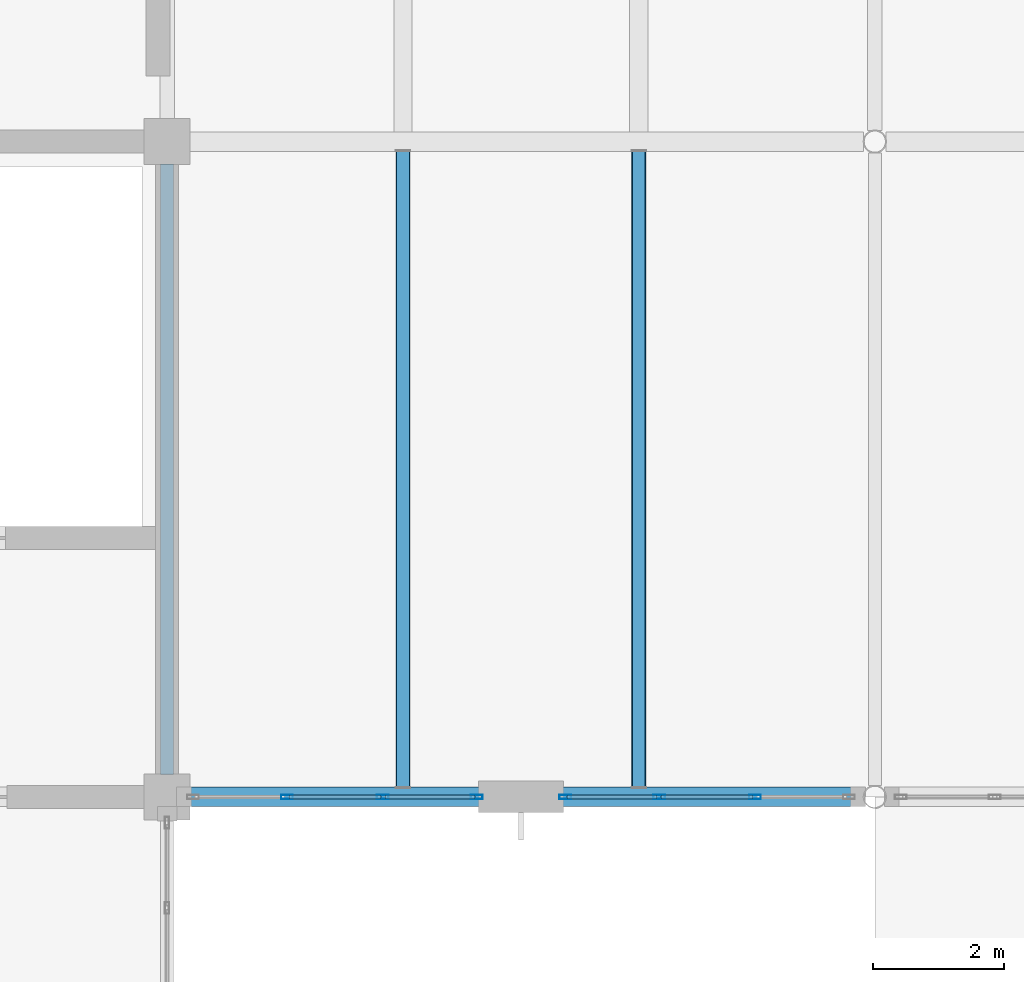
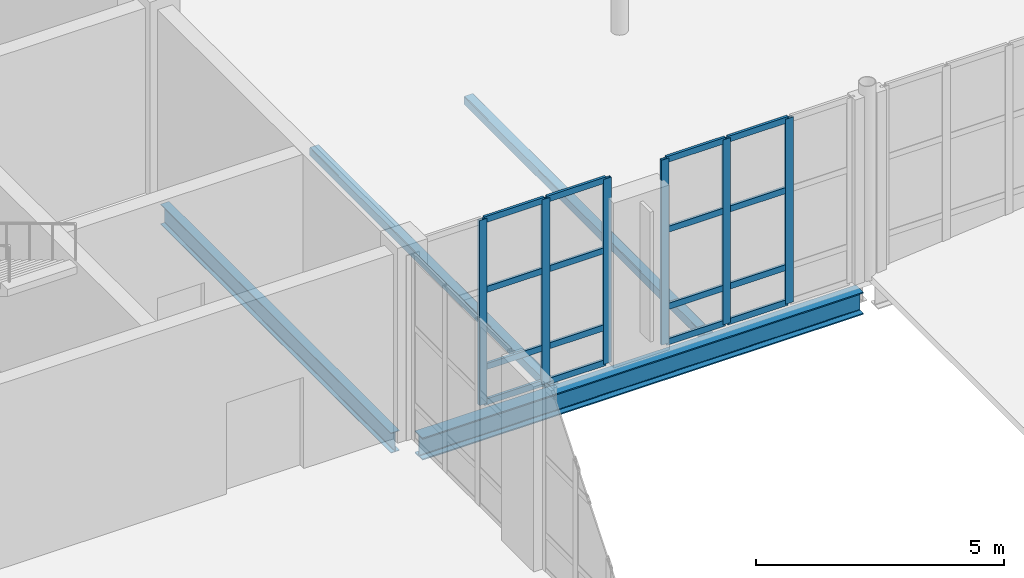
# One storey, part 25 of 92: 22 members, 4 beams, 2 elements without a shape of their own.
"""IFC4 building model written with IfcOpenShell, lengths in metres."""

from ifc_helpers import new_model, si_unit, direction, frame, origin, origin_2d, place, context, subcontext, project, spatial, hollow_rectangle, i_section, extrude, material, layer, layer_set, material_profile, profile_set, type_object, element, aggregate, save


model = new_model("IFC4")

# Units and contexts
model_context = context("Model", 3, precision=1e-05, world=origin(), true_north=direction((0.0, 1.0)))
body_context = subcontext(model_context, "Body", "Model", "MODEL_VIEW")
ifc_project = project(units=[si_unit("LENGTHUNIT", "METRE"), si_unit("AREAUNIT", "SQUARE_METRE"), si_unit("VOLUMEUNIT", "CUBIC_METRE"), si_unit("PLANEANGLEUNIT", "RADIAN"), si_unit("MASSUNIT", "GRAM", prefix="KILO")], contexts=[model_context])

# Site, building, storey
site_placement = place(None, origin())
site = spatial("IfcSite", under=ifc_project, at=site_placement, CompositionType="ELEMENT")
building_placement = place(site_placement, origin())
building = spatial("IfcBuilding", under=site, at=building_placement, Name="Tasgan Crest Museum", CompositionType="ELEMENT")
storey_placement = place(building_placement, frame((0.0, 0.0, 4.800048828125)))
storey = spatial("IfcBuildingStorey", under=building, at=storey_placement, Name="L01", CompositionType="ELEMENT", Elevation=4.800048828125)

# Beams
ifc_material_1 = material(Name="Steel S355K2", Category="steel")
ifc_material_profile_1 = material_profile(ifc_material_1, i_section(OverallWidth=0.300048828125, OverallDepth=0.550048828125, WebThickness=0.014892578125, FlangeThickness=0.029052734375, FilletRadius=0.027099609375, at=origin_2d()), Name="HEB 550")
ifc_profile_set_1 = profile_set([ifc_material_profile_1], Name="Steel S355K2")
beam_type_1 = type_object("IfcBeamType", Name="BM-G-HEB550", PredefinedType="BEAM", material=ifc_profile_set_1)
beam_1_placement = place(storey_placement, frame((54.345947265625, 40.0, -0.51513671875), z_axis=(1.0, 0.0, 0.0), x_axis=(0.0, 1.0, 0.0)))
element("IfcBeam", 1, at=beam_1_placement, inside=storey, type_object=beam_type_1, Name="Girder L01 E 54.0-64.8", PredefinedType="BEAM", context=body_context, shape_type="SweptSolid", body=[
    extrude(i_section(OverallWidth=0.300048828125, OverallDepth=0.550048828125, WebThickness=0.014892578125, FlangeThickness=0.029052734375, FilletRadius=0.027099609375, at=origin_2d()), origin(), (0.0, 0.0, 1.0), 10.2802734375),
])
ifc_material_2 = material(Name="Steel S355J2", Category="steel")
ifc_material_profile_2 = material_profile(ifc_material_2, i_section(OverallWidth=0.199951171875, OverallDepth=0.5, WebThickness=0.01025390625, FlangeThickness=0.01611328125, FilletRadius=0.02099609375, at=origin_2d()), Name="IPE 500")
ifc_profile_set_2 = profile_set([ifc_material_profile_2], Name="Steel S355J2")
beam_type_2 = type_object("IfcBeamType", Name="BM-G-IPE500", PredefinedType="BEAM", material=ifc_profile_set_2)
beam_2_placement = place(storey_placement, frame((54.0, 40.344970703125, -0.510009765625), z_axis=(0.0, 1.0, 0.0), x_axis=(-1.0, 0.0, 0.0)))
element("IfcBeam", 2, at=beam_2_placement, inside=storey, type_object=beam_type_2, Name="Beam L01 6 40.0-50.0", PredefinedType="BEAM", context=body_context, shape_type="SweptSolid", body=[
    extrude(i_section(OverallWidth=0.199951171875, OverallDepth=0.5, WebThickness=0.01025390625, FlangeThickness=0.01611328125, FilletRadius=0.02099609375, at=origin_2d()), origin(), (0.0, 0.0, 1.0), 9.31005859375),
])
ifc_material_3 = material(Name="Steel S355J2", Category="steel")
ifc_material_profile_3 = material_profile(ifc_material_3, hollow_rectangle(XDim=0.219970703125, YDim=0.219970703125, WallThickness=0.012451171875, InnerFilletRadius=0.012451171875, OuterFilletRadius=0.02490234375, at=origin_2d()), Name="SHS 220x220x12.5")
ifc_profile_set_3 = profile_set([ifc_material_profile_3], Name="Steel S355J2")
beam_type_3 = type_object("IfcBeamType", Name="BM-J-SHS220", PredefinedType="JOIST", material=ifc_profile_set_3)
for number, where, z_axis, x_axis, name in (
    (3, (57.60009765625, 40.14501953125, -0.35009765625), (0.0, 1.0, 0.0), (-1.0, 0.0, 0.0), "Secondary joist L01 X=57.6 Y=40.0-50.0"),
    (4, (61.199951171875, 40.14501953125, -0.35009765625), (0.0, 1.0, 0.0), (-1.0, 0.0, 0.0), "Secondary joist L01 X=61.2 Y=40.0-50.0"),
):
    element("IfcBeam", number, at=place(storey_placement, frame(where, z_axis=z_axis, x_axis=x_axis)), inside=storey, type_object=beam_type_3, Name=name, PredefinedType="JOIST", context=body_context, shape_type="SweptSolid", body=[
        extrude(hollow_rectangle(XDim=0.219970703125, YDim=0.219970703125, WallThickness=0.012451171875, InnerFilletRadius=0.012451171875, OuterFilletRadius=0.02490234375, at=origin_2d()), origin(), (0.0, 0.0, 1.0), 9.7099609375),
    ])

# Curtain wall, members
ifc_material_4 = material(Name="Triple-Glazed Aluminium Curtain Wall", Category="aluminium")
ifc_layer = layer(ifc_material_4, 0.179931640625, Name="CW-DRUM-X-48")
ifc_layer_set = layer_set([ifc_layer], Name="Triple-Glazed Aluminium Curtain Wall")
curtain_wall_type = type_object("IfcCurtainWallType", Name="CW-DRUM-X-48", PredefinedType="NOTDEFINED", material=ifc_layer_set)
curtain_wall_1_placement = place(storey_placement, origin())
curtain_wall_1 = element("IfcCurtainWall", 5, at=curtain_wall_1_placement, inside=storey, type_object=curtain_wall_type, Name="Curtain wall L01 027", PredefinedType="NOTDEFINED")
ifc_material_5 = material(Name="Anodised Aluminium", Category="aluminium")
ifc_material_profile_4 = material_profile(ifc_material_5, hollow_rectangle(XDim=0.06494140625, YDim=0.179931640625, WallThickness=0.0048828125, at=origin_2d()), Name="ALU MULLION 180x65x5")
ifc_profile_set_4 = profile_set([ifc_material_profile_4], Name="Anodised Aluminium")
member_type_1 = type_object("IfcMemberType", Name="CW-MULLION-180", PredefinedType="MULLION", material=ifc_profile_set_4)
member_1_placement = place(storey_placement, frame((55.828369140625, 40.0, 0.0), z_axis=(0.0, 0.0, 1.0), x_axis=(0.0, 1.0, 0.0)))
member_1 = element("IfcMember", 6, at=member_1_placement, type_object=member_type_1, Name="CW03 mullion 2", PredefinedType="MULLION", context=body_context, shape_type="SweptSolid", body=[
    extrude(hollow_rectangle(XDim=0.06494140625, YDim=0.179931640625, WallThickness=0.0048828125, at=origin_2d()), origin(), (0.0, 0.0, 1.0), 4.56005859375),
])
member_2_placement = place(storey_placement, frame((57.291748046875, 40.0, 0.0), z_axis=(0.0, 0.0, 1.0), x_axis=(0.0, 1.0, 0.0)))
member_2 = element("IfcMember", 7, at=member_2_placement, type_object=member_type_1, Name="CW03 mullion 3", PredefinedType="MULLION", context=body_context, shape_type="SweptSolid", body=[
    extrude(hollow_rectangle(XDim=0.06494140625, YDim=0.179931640625, WallThickness=0.0048828125, at=origin_2d()), origin(), (0.0, 0.0, 1.0), 4.56005859375),
])
member_3_placement = place(storey_placement, frame((58.72509765625, 40.0, 0.0), z_axis=(0.0, 0.0, 1.0), x_axis=(0.0, 1.0, 0.0)))
member_3 = element("IfcMember", 8, at=member_3_placement, type_object=member_type_1, Name="CW03 mullion 4", PredefinedType="MULLION", context=body_context, shape_type="SweptSolid", body=[
    extrude(hollow_rectangle(XDim=0.06494140625, YDim=0.179931640625, WallThickness=0.0048828125, at=origin_2d()), origin(), (0.0, 0.0, 1.0), 4.56005859375),
])

curtain_wall_2_placement = place(storey_placement, origin())
curtain_wall_2 = element("IfcCurtainWall", 9, at=curtain_wall_2_placement, inside=storey, type_object=curtain_wall_type, Name="Curtain wall L01 028", PredefinedType="NOTDEFINED")
member_4_placement = place(storey_placement, frame((60.074951171875, 40.0, 0.0), z_axis=(0.0, 0.0, 1.0), x_axis=(0.0, 1.0, 0.0)))
member_4 = element("IfcMember", 10, at=member_4_placement, type_object=member_type_1, Name="CW03 mullion 1", PredefinedType="MULLION", context=body_context, shape_type="SweptSolid", body=[
    extrude(hollow_rectangle(XDim=0.06494140625, YDim=0.179931640625, WallThickness=0.0048828125, at=origin_2d()), origin(), (0.0, 0.0, 1.0), 4.56005859375),
])
member_5_placement = place(storey_placement, frame((61.50830078125, 40.0, 0.0), z_axis=(0.0, 0.0, 1.0), x_axis=(0.0, 1.0, 0.0)))
member_5 = element("IfcMember", 11, at=member_5_placement, type_object=member_type_1, Name="CW03 mullion 2", PredefinedType="MULLION", context=body_context, shape_type="SweptSolid", body=[
    extrude(hollow_rectangle(XDim=0.06494140625, YDim=0.179931640625, WallThickness=0.0048828125, at=origin_2d()), origin(), (0.0, 0.0, 1.0), 4.56005859375),
])
member_6_placement = place(storey_placement, frame((62.9716796875, 40.0, 0.0), z_axis=(0.0, 0.0, 1.0), x_axis=(0.0, 1.0, 0.0)))
member_6 = element("IfcMember", 12, at=member_6_placement, type_object=member_type_1, Name="CW03 mullion 3", PredefinedType="MULLION", context=body_context, shape_type="SweptSolid", body=[
    extrude(hollow_rectangle(XDim=0.06494140625, YDim=0.179931640625, WallThickness=0.0048828125, at=origin_2d()), origin(), (0.0, 0.0, 1.0), 4.56005859375),
])

# Member
ifc_material_6 = material(Name="Anodised Aluminium", Category="aluminium")
ifc_material_profile_5 = material_profile(ifc_material_6, hollow_rectangle(XDim=0.06005859375, YDim=0.14990234375, WallThickness=0.0048828125, at=origin_2d()), Name="ALU TRANSOM 150x60x5")
ifc_profile_set_5 = profile_set([ifc_material_profile_5], Name="Anodised Aluminium")
member_type_2 = type_object("IfcMemberType", Name="CW-TRANSOM-150", PredefinedType="USERDEFINED", material=ifc_profile_set_5)
member_7_placement = place(storey_placement, frame((55.8583984375, 40.0, 0.030029296875), z_axis=(1.0, 0.0, 0.0), x_axis=(0.0, 1.0, 0.0)))
member_7 = element("IfcMember", 13, at=member_7_placement, type_object=member_type_2, Name="CW03 transom 2.1", ObjectType="TRANSOM", PredefinedType="USERDEFINED", context=body_context, shape_type="SweptSolid", body=[
    extrude(hollow_rectangle(XDim=0.06005859375, YDim=0.14990234375, WallThickness=0.0048828125, at=origin_2d()), origin(), (0.0, 0.0, 1.0), 1.4033203125),
])

member_8_placement = place(storey_placement, frame((55.8583984375, 40.0, 0.89990234375), z_axis=(1.0, 0.0, 0.0), x_axis=(0.0, 1.0, 0.0)))
member_8 = element("IfcMember", 14, at=member_8_placement, type_object=member_type_2, Name="CW03 transom 2.2", ObjectType="TRANSOM", PredefinedType="USERDEFINED", context=body_context, shape_type="SweptSolid", body=[
    extrude(hollow_rectangle(XDim=0.06005859375, YDim=0.14990234375, WallThickness=0.0048828125, at=origin_2d()), origin(), (0.0, 0.0, 1.0), 1.4033203125),
])

member_9_placement = place(storey_placement, frame((55.8583984375, 40.0, 2.800048828125), z_axis=(1.0, 0.0, 0.0), x_axis=(0.0, 1.0, 0.0)))
member_9 = element("IfcMember", 15, at=member_9_placement, type_object=member_type_2, Name="CW03 transom 2.3", ObjectType="TRANSOM", PredefinedType="USERDEFINED", context=body_context, shape_type="SweptSolid", body=[
    extrude(hollow_rectangle(XDim=0.06005859375, YDim=0.14990234375, WallThickness=0.0048828125, at=origin_2d()), origin(), (0.0, 0.0, 1.0), 1.4033203125),
])

member_10_placement = place(storey_placement, frame((55.8583984375, 40.0, 4.530029296875), z_axis=(1.0, 0.0, 0.0), x_axis=(0.0, 1.0, 0.0)))
member_10 = element("IfcMember", 16, at=member_10_placement, type_object=member_type_2, Name="CW03 transom 2.4", ObjectType="TRANSOM", PredefinedType="USERDEFINED", context=body_context, shape_type="SweptSolid", body=[
    extrude(hollow_rectangle(XDim=0.06005859375, YDim=0.14990234375, WallThickness=0.0048828125, at=origin_2d()), origin(), (0.0, 0.0, 1.0), 1.4033203125),
])

member_11_placement = place(storey_placement, frame((57.32177734375, 40.0, 0.030029296875), z_axis=(1.0, 0.0, 0.0), x_axis=(0.0, 1.0, 0.0)))
member_11 = element("IfcMember", 17, at=member_11_placement, type_object=member_type_2, Name="CW03 transom 3.1", ObjectType="TRANSOM", PredefinedType="USERDEFINED", context=body_context, shape_type="SweptSolid", body=[
    extrude(hollow_rectangle(XDim=0.06005859375, YDim=0.14990234375, WallThickness=0.0048828125, at=origin_2d()), origin(), (0.0, 0.0, 1.0), 1.373291015625),
])

member_12_placement = place(storey_placement, frame((57.32177734375, 40.0, 0.89990234375), z_axis=(1.0, 0.0, 0.0), x_axis=(0.0, 1.0, 0.0)))
member_12 = element("IfcMember", 18, at=member_12_placement, type_object=member_type_2, Name="CW03 transom 3.2", ObjectType="TRANSOM", PredefinedType="USERDEFINED", context=body_context, shape_type="SweptSolid", body=[
    extrude(hollow_rectangle(XDim=0.06005859375, YDim=0.14990234375, WallThickness=0.0048828125, at=origin_2d()), origin(), (0.0, 0.0, 1.0), 1.373291015625),
])

member_13_placement = place(storey_placement, frame((57.32177734375, 40.0, 2.800048828125), z_axis=(1.0, 0.0, 0.0), x_axis=(0.0, 1.0, 0.0)))
member_13 = element("IfcMember", 19, at=member_13_placement, type_object=member_type_2, Name="CW03 transom 3.3", ObjectType="TRANSOM", PredefinedType="USERDEFINED", context=body_context, shape_type="SweptSolid", body=[
    extrude(hollow_rectangle(XDim=0.06005859375, YDim=0.14990234375, WallThickness=0.0048828125, at=origin_2d()), origin(), (0.0, 0.0, 1.0), 1.373291015625),
])

member_14_placement = place(storey_placement, frame((57.32177734375, 40.0, 4.530029296875), z_axis=(1.0, 0.0, 0.0), x_axis=(0.0, 1.0, 0.0)))
member_14 = element("IfcMember", 20, at=member_14_placement, type_object=member_type_2, Name="CW03 transom 3.4", ObjectType="TRANSOM", PredefinedType="USERDEFINED", context=body_context, shape_type="SweptSolid", body=[
    extrude(hollow_rectangle(XDim=0.06005859375, YDim=0.14990234375, WallThickness=0.0048828125, at=origin_2d()), origin(), (0.0, 0.0, 1.0), 1.373291015625),
])

aggregate(curtain_wall_1, [member_1, member_2, member_3, member_7, member_8, member_9, member_10, member_11, member_12, member_13, member_14])

member_15_placement = place(storey_placement, frame((60.10498046875, 40.0, 0.030029296875), z_axis=(1.0, 0.0, 0.0), x_axis=(0.0, 1.0, 0.0)))
member_15 = element("IfcMember", 21, at=member_15_placement, type_object=member_type_2, Name="CW03 transom 1.1", ObjectType="TRANSOM", PredefinedType="USERDEFINED", context=body_context, shape_type="SweptSolid", body=[
    extrude(hollow_rectangle(XDim=0.06005859375, YDim=0.14990234375, WallThickness=0.0048828125, at=origin_2d()), origin(), (0.0, 0.0, 1.0), 1.373291015625),
])

member_16_placement = place(storey_placement, frame((60.10498046875, 40.0, 0.89990234375), z_axis=(1.0, 0.0, 0.0), x_axis=(0.0, 1.0, 0.0)))
member_16 = element("IfcMember", 22, at=member_16_placement, type_object=member_type_2, Name="CW03 transom 1.2", ObjectType="TRANSOM", PredefinedType="USERDEFINED", context=body_context, shape_type="SweptSolid", body=[
    extrude(hollow_rectangle(XDim=0.06005859375, YDim=0.14990234375, WallThickness=0.0048828125, at=origin_2d()), origin(), (0.0, 0.0, 1.0), 1.373291015625),
])

member_17_placement = place(storey_placement, frame((60.10498046875, 40.0, 2.800048828125), z_axis=(1.0, 0.0, 0.0), x_axis=(0.0, 1.0, 0.0)))
member_17 = element("IfcMember", 23, at=member_17_placement, type_object=member_type_2, Name="CW03 transom 1.3", ObjectType="TRANSOM", PredefinedType="USERDEFINED", context=body_context, shape_type="SweptSolid", body=[
    extrude(hollow_rectangle(XDim=0.06005859375, YDim=0.14990234375, WallThickness=0.0048828125, at=origin_2d()), origin(), (0.0, 0.0, 1.0), 1.373291015625),
])

member_18_placement = place(storey_placement, frame((60.10498046875, 40.0, 4.530029296875), z_axis=(1.0, 0.0, 0.0), x_axis=(0.0, 1.0, 0.0)))
member_18 = element("IfcMember", 24, at=member_18_placement, type_object=member_type_2, Name="CW03 transom 1.4", ObjectType="TRANSOM", PredefinedType="USERDEFINED", context=body_context, shape_type="SweptSolid", body=[
    extrude(hollow_rectangle(XDim=0.06005859375, YDim=0.14990234375, WallThickness=0.0048828125, at=origin_2d()), origin(), (0.0, 0.0, 1.0), 1.373291015625),
])

member_19_placement = place(storey_placement, frame((61.538330078125, 40.0, 0.030029296875), z_axis=(1.0, 0.0, 0.0), x_axis=(0.0, 1.0, 0.0)))
member_19 = element("IfcMember", 25, at=member_19_placement, type_object=member_type_2, Name="CW03 transom 2.1", ObjectType="TRANSOM", PredefinedType="USERDEFINED", context=body_context, shape_type="SweptSolid", body=[
    extrude(hollow_rectangle(XDim=0.06005859375, YDim=0.14990234375, WallThickness=0.0048828125, at=origin_2d()), origin(), (0.0, 0.0, 1.0), 1.4033203125),
])

member_20_placement = place(storey_placement, frame((61.538330078125, 40.0, 0.89990234375), z_axis=(1.0, 0.0, 0.0), x_axis=(0.0, 1.0, 0.0)))
member_20 = element("IfcMember", 26, at=member_20_placement, type_object=member_type_2, Name="CW03 transom 2.2", ObjectType="TRANSOM", PredefinedType="USERDEFINED", context=body_context, shape_type="SweptSolid", body=[
    extrude(hollow_rectangle(XDim=0.06005859375, YDim=0.14990234375, WallThickness=0.0048828125, at=origin_2d()), origin(), (0.0, 0.0, 1.0), 1.4033203125),
])

member_21_placement = place(storey_placement, frame((61.538330078125, 40.0, 2.800048828125), z_axis=(1.0, 0.0, 0.0), x_axis=(0.0, 1.0, 0.0)))
member_21 = element("IfcMember", 27, at=member_21_placement, type_object=member_type_2, Name="CW03 transom 2.3", ObjectType="TRANSOM", PredefinedType="USERDEFINED", context=body_context, shape_type="SweptSolid", body=[
    extrude(hollow_rectangle(XDim=0.06005859375, YDim=0.14990234375, WallThickness=0.0048828125, at=origin_2d()), origin(), (0.0, 0.0, 1.0), 1.4033203125),
])

member_22_placement = place(storey_placement, frame((61.538330078125, 40.0, 4.530029296875), z_axis=(1.0, 0.0, 0.0), x_axis=(0.0, 1.0, 0.0)))
member_22 = element("IfcMember", 28, at=member_22_placement, type_object=member_type_2, Name="CW03 transom 2.4", ObjectType="TRANSOM", PredefinedType="USERDEFINED", context=body_context, shape_type="SweptSolid", body=[
    extrude(hollow_rectangle(XDim=0.06005859375, YDim=0.14990234375, WallThickness=0.0048828125, at=origin_2d()), origin(), (0.0, 0.0, 1.0), 1.4033203125),
])

aggregate(curtain_wall_2, [member_4, member_5, member_6, member_15, member_16, member_17, member_18, member_19, member_20, member_21, member_22])

save(model, "model.ifc")
